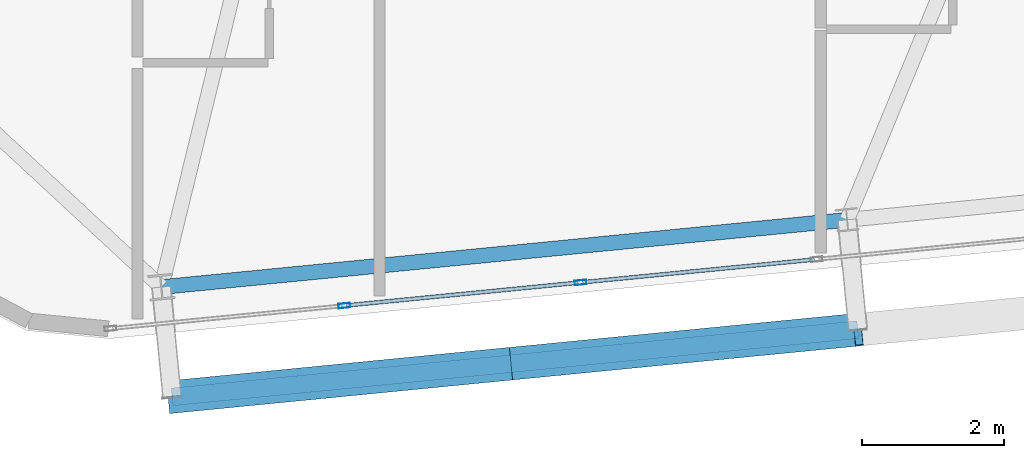
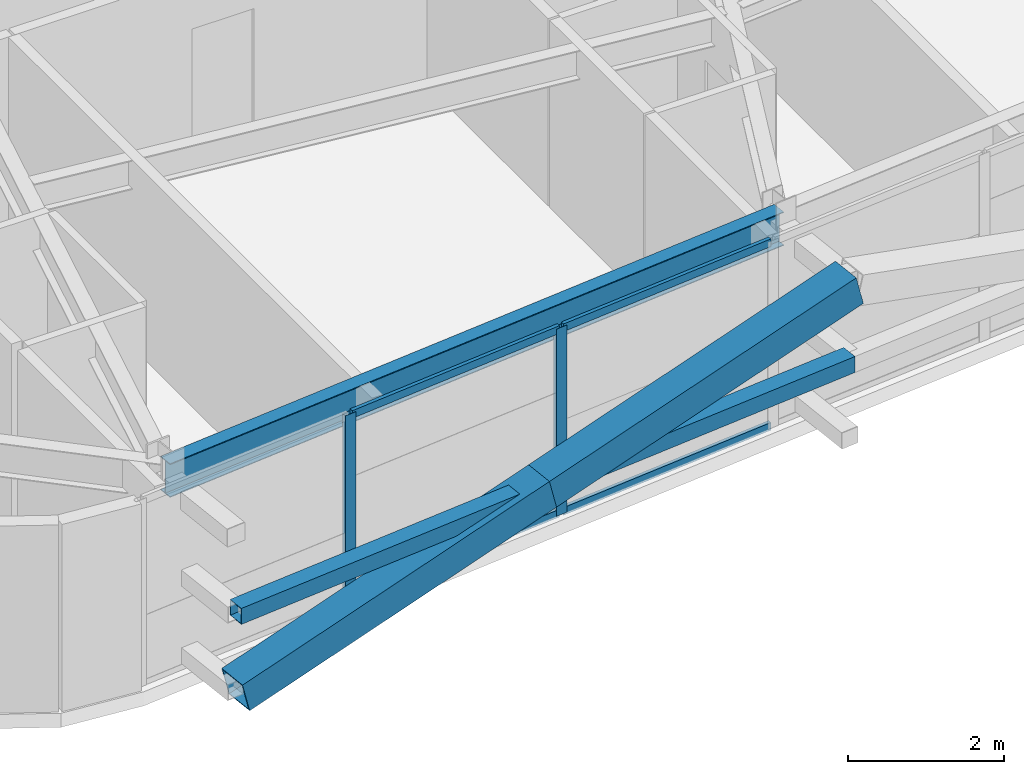
# One storey, part 6 of 53: 9 members, 1 beam, 1 element without a shape of its own.
"""IFC4 building model written with IfcOpenShell, lengths in metres."""

from ifc_helpers import new_model, si_unit, direction, frame, origin, origin_2d, place, context, subcontext, project, spatial, hollow_rectangle, i_section, extrude, source, transform, mapped, material, layer, layer_set, material_profile, profile_set, type_object, element, aggregate, save


model = new_model("IFC4")

# Units and contexts
model_context = context("Model", 3, precision=1e-05, world=origin(), true_north=direction((0.0, 1.0)))
body_context = subcontext(model_context, "Body", "Model", "MODEL_VIEW")
ifc_project = project(units=[si_unit("LENGTHUNIT", "METRE"), si_unit("AREAUNIT", "SQUARE_METRE"), si_unit("VOLUMEUNIT", "CUBIC_METRE"), si_unit("PLANEANGLEUNIT", "RADIAN"), si_unit("MASSUNIT", "GRAM", prefix="KILO")], contexts=[model_context])

# Site, building, storey
site_placement = place(None, origin())
site = spatial("IfcSite", under=ifc_project, at=site_placement, CompositionType="ELEMENT")
building_placement = place(site_placement, origin())
building = spatial("IfcBuilding", under=site, at=building_placement, Name="Taldren Reach Tower", CompositionType="ELEMENT")
storey_placement = place(building_placement, frame((0.0, 0.0, 80.85009765625)))
storey = spatial("IfcBuildingStorey", under=building, at=storey_placement, Name="L24", CompositionType="ELEMENT", Elevation=80.85009765625)

# Beam
ifc_material_1 = material(Name="Steel Gr 350 (350PLUS)", Category="steel")
ifc_material_profile_1 = material_profile(ifc_material_1, i_section(OverallWidth=0.208984375, OverallDepth=0.528076171875, WebThickness=0.009521484375, FlangeThickness=0.01318359375, at=origin_2d()), Name="530UB82.0")
ifc_profile_set_1 = profile_set([ifc_material_profile_1], Name="Steel Gr 350 (350PLUS)")
beam_type = type_object("IfcBeamType", Name="SP-UB530B", PredefinedType="SPANDREL", material=ifc_profile_set_1)
shared_shape_1 = source(origin(), body_context, "Body", "SweptSolid", [
    extrude(i_section(OverallWidth=0.208984375, OverallDepth=0.528076171875, WebThickness=0.009521484375, FlangeThickness=0.01318359375, at=origin_2d()), origin(), (0.0, 0.0, 1.0), 9.679931640625),
])
beam_placement = place(storey_placement, frame((14.93408203125, -0.079833984375, 2.666015625), z_axis=(0.995227612658, 0.097580730699, 0.0), x_axis=(-0.097580730699, 0.995227612658, 0.0)))
element("IfcBeam", 1, at=beam_placement, inside=storey, type_object=beam_type, Name="Perimeter spandrel B2 S1-S2 L24", PredefinedType="SPANDREL", context=body_context, shape_type="MappedRepresentation", body=[
    mapped(shared_shape_1, transform((0.0, 0.0, 0.0), scale=1.0)),
])

# Members
ifc_material_2 = material(Name="Steel Gr 450 (C450L0)", Category="steel")
ifc_material_profile_2 = material_profile(ifc_material_2, hollow_rectangle(XDim=0.4599609375, YDim=0.4599609375, WallThickness=0.01611328125, at=origin_2d()), Name="460x460x16.0SHS")
ifc_profile_set_2 = profile_set([ifc_material_profile_2], Name="Steel Gr 450 (C450L0)")
member_type_1 = type_object("IfcMemberType", Name="MB-EXO457", PredefinedType="BRACE", material=ifc_profile_set_2)
shared_shape_2 = source(origin(), body_context, "Body", "SweptSolid", [
    extrude(hollow_rectangle(XDim=0.4599609375, YDim=0.4599609375, WallThickness=0.01611328125, at=origin_2d()), origin(), (0.0, 0.0, 1.0), 4.990234375),
])
for number, where, z_axis, x_axis, name in (
    (2, (15.08544921875, -1.62255859375, 0.219970703125), (0.965282554799, 0.094669120301, 0.243448859234), (-0.097605711627, 0.995225162995, 0.0), "Exoskeleton Diagrid Brace B2-S1 L24"),
    (3, (19.90234375, -1.150146484375, 1.434814453125), (0.965275526283, 0.094619506732, 0.243496010862), (-0.097555749586, 0.995230061706, 0.0), "Exoskeleton Diagrid Brace B2-S1 L24"),
):
    element("IfcMember", number, at=place(storey_placement, frame(where, z_axis=z_axis, x_axis=x_axis)), inside=storey, type_object=member_type_1, Name=name, PredefinedType="BRACE", context=body_context, shape_type="MappedRepresentation", body=[
        mapped(shared_shape_2, transform((0.0, 0.0, 0.0), scale=1.0)),
    ])
ifc_material_3 = material(Name="Steel Gr 350 (C350L0)", Category="steel")
ifc_material_profile_3 = material_profile(ifc_material_3, hollow_rectangle(XDim=0.25, YDim=0.25, WallThickness=0.010009765625, at=origin_2d()), Name="250x250x10.0SHS")
ifc_profile_set_3 = profile_set([ifc_material_profile_3], Name="Steel Gr 350 (C350L0)")
member_type_2 = type_object("IfcMemberType", Name="MB-POST250", PredefinedType="POST", material=ifc_profile_set_3)
shared_shape_3 = source(origin(), body_context, "Body", "SweptSolid", [
    extrude(hollow_rectangle(XDim=0.25, YDim=0.25, WallThickness=0.010009765625, at=origin_2d()), origin(), (0.0, 0.0, 1.0), 9.679931640625),
])
member_1_placement = place(storey_placement, frame((15.08544921875, -1.62255859375, 1.434814453125), z_axis=(0.995227612658, 0.097580730699, 0.0), x_axis=(-0.097580730699, 0.995227612658, 0.0)))
element("IfcMember", 4, at=member_1_placement, inside=storey, type_object=member_type_2, Name="Exoskeleton mid-height ring chord B2-S1 L24", PredefinedType="POST", context=body_context, shape_type="MappedRepresentation", body=[
    mapped(shared_shape_3, transform((0.0, 0.0, 0.0), scale=1.0)),
])

# Curtain wall, members
ifc_material_4 = material(Name="Aluminium and Low-E Glass Unitised System", Category="aluminium")
ifc_layer = layer(ifc_material_4, 0.159912109375)
ifc_layer_set = layer_set([ifc_layer], Name="Aluminium and Low-E Glass Unitised System")
curtain_wall_type = type_object("IfcCurtainWallType", Name="CW-SYS-3", PredefinedType="NOTDEFINED", material=ifc_layer_set)
curtain_wall_placement = place(storey_placement, origin())
curtain_wall = element("IfcCurtainWall", 5, at=curtain_wall_placement, inside=storey, type_object=curtain_wall_type, Name="Unitised curtain wall CW-L24-S", PredefinedType="NOTDEFINED")
ifc_material_5 = material(Name="Anodised Aluminium 6063-T6", Category="aluminium")
ifc_material_profile_4 = material_profile(ifc_material_5, hollow_rectangle(XDim=0.06494140625, YDim=0.1650390625, WallThickness=0.00390625, at=origin_2d()), Name="ALU-165x65x4RHS")
ifc_profile_set_4 = profile_set([ifc_material_profile_4], Name="Anodised Aluminium 6063-T6")
member_type_3 = type_object("IfcMemberType", Name="CW-MUL-165", PredefinedType="MULLION", material=ifc_profile_set_4)
shared_shape_4 = source(origin(), body_context, "Body", "SweptSolid", [
    extrude(hollow_rectangle(XDim=0.06494140625, YDim=0.1650390625, WallThickness=0.00390625, at=origin_2d()), origin(), (0.0, 0.0, 1.0), 2.929931640625),
])
member_2_placement = place(storey_placement, frame((17.505126953125, -0.34033203125, 0.0), z_axis=(0.0, 0.0, 1.0), x_axis=(-0.097582999046, 0.995227390247, 0.0)))
member_2 = element("IfcMember", 6, at=member_2_placement, type_object=member_type_3, Name="CW-3 mullion 2", PredefinedType="MULLION", context=body_context, shape_type="MappedRepresentation", body=[
    mapped(shared_shape_4, transform((0.0, 0.0, 0.0), scale=1.0)),
])
member_3_placement = place(storey_placement, frame((20.822509765625, -0.014892578125, 0.0), z_axis=(0.0, 0.0, 1.0), x_axis=(-0.097582999046, 0.995227390247, 0.0)))
member_3 = element("IfcMember", 7, at=member_3_placement, type_object=member_type_3, Name="CW-3 mullion 3", PredefinedType="MULLION", context=body_context, shape_type="MappedRepresentation", body=[
    mapped(shared_shape_4, transform((0.0, 0.0, 0.0), scale=1.0)),
])
ifc_material_profile_5 = material_profile(ifc_material_5, hollow_rectangle(XDim=0.054931640625, YDim=0.1201171875, WallThickness=0.0029296875, at=origin_2d()), Name="ALU-120x55x3RHS")
ifc_profile_set_5 = profile_set([ifc_material_profile_5], Name="Anodised Aluminium 6063-T6")
member_type_4 = type_object("IfcMemberType", Name="CW-TRN-135", PredefinedType="USERDEFINED", material=ifc_profile_set_5)
shared_shape_5 = source(origin(), body_context, "Body", "SweptSolid", [
    extrude(hollow_rectangle(XDim=0.054931640625, YDim=0.1201171875, WallThickness=0.0029296875, at=origin_2d()), origin(), (0.0, 0.0, 1.0), 3.268310546875),
])
member_4_placement = place(storey_placement, frame((17.53759765625, -0.337158203125, 0.02734375), z_axis=(0.995222549564, 0.097632355496, 0.0), x_axis=(-0.097632355496, 0.995222549564, 0.0)))
member_4 = element("IfcMember", 8, at=member_4_placement, type_object=member_type_4, Name="CW-3 transom 2.1", ObjectType="TRANSOM", PredefinedType="USERDEFINED", context=body_context, shape_type="MappedRepresentation", body=[
    mapped(shared_shape_5, transform((0.0, 0.0, 0.0), scale=1.0)),
])
member_5_placement = place(storey_placement, frame((17.53759765625, -0.337158203125, 2.90234375), z_axis=(0.995222549564, 0.097632355496, 0.0), x_axis=(-0.097632355496, 0.995222549564, 0.0)))
member_5 = element("IfcMember", 9, at=member_5_placement, type_object=member_type_4, Name="CW-3 transom 2.2", ObjectType="TRANSOM", PredefinedType="USERDEFINED", context=body_context, shape_type="MappedRepresentation", body=[
    mapped(shared_shape_5, transform((0.0, 0.0, 0.0), scale=1.0)),
])
member_6_placement = place(storey_placement, frame((20.85498046875, -0.01171875, 0.02734375), z_axis=(0.99522980512, 0.097558367146, 0.0), x_axis=(-0.097558367146, 0.99522980512, 0.0)))
member_6 = element("IfcMember", 10, at=member_6_placement, type_object=member_type_4, Name="CW-3 transom 3.1", ObjectType="TRANSOM", PredefinedType="USERDEFINED", context=body_context, shape_type="MappedRepresentation", body=[
    mapped(shared_shape_5, transform((0.0, 0.0, 0.0), scale=1.0)),
])
member_7_placement = place(storey_placement, frame((20.85498046875, -0.01171875, 2.90234375), z_axis=(0.99522980512, 0.097558367146, 0.0), x_axis=(-0.097558367146, 0.99522980512, 0.0)))
member_7 = element("IfcMember", 11, at=member_7_placement, type_object=member_type_4, Name="CW-3 transom 3.2", ObjectType="TRANSOM", PredefinedType="USERDEFINED", context=body_context, shape_type="MappedRepresentation", body=[
    mapped(shared_shape_5, transform((0.0, 0.0, 0.0), scale=1.0)),
])
aggregate(curtain_wall, [member_2, member_3, member_4, member_5, member_6, member_7])

save(model, "model.ifc")
